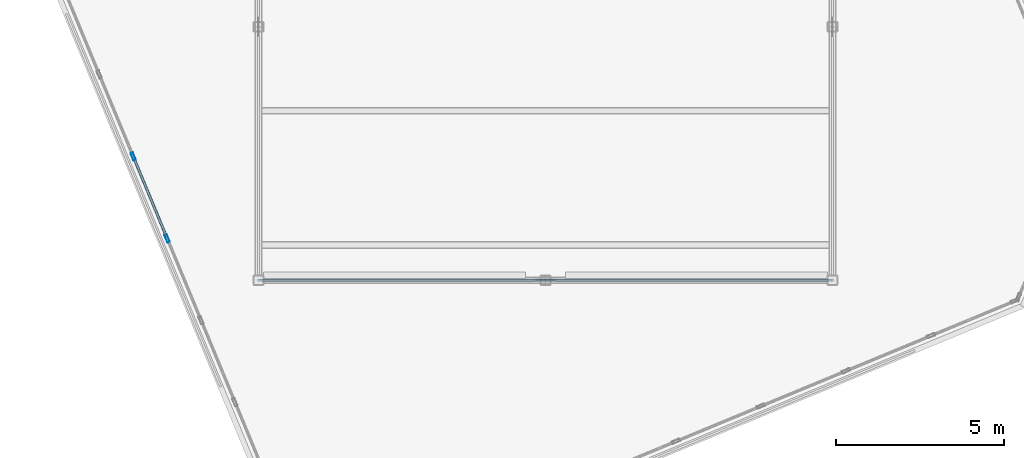
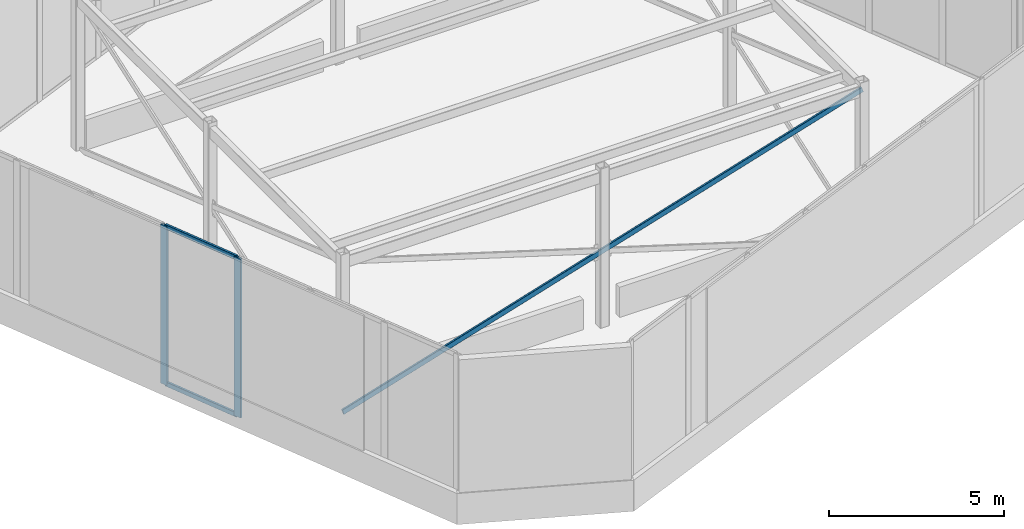
# One storey, part 3 of 12: 5 members, 1 element without a shape of its own.
"""IFC4 building model written with IfcOpenShell, lengths in metres."""

from ifc_helpers import new_model, si_unit, direction, frame, origin, origin_2d, place, context, subcontext, project, spatial, hollow_rectangle, extrude, source, transform, mapped, material, material_profile, profile_set, type_object, element, aggregate, save


model = new_model("IFC4")

# Units and contexts
model_context = context("Model", 3, precision=1e-05, world=origin(), true_north=direction((0.0, 1.0)))
body_context = subcontext(model_context, "Body", "Model", "MODEL_VIEW")
ifc_project = project(units=[si_unit("LENGTHUNIT", "METRE"), si_unit("AREAUNIT", "SQUARE_METRE"), si_unit("VOLUMEUNIT", "CUBIC_METRE"), si_unit("PLANEANGLEUNIT", "RADIAN"), si_unit("MASSUNIT", "GRAM", prefix="KILO")], contexts=[model_context])

# Site, building, storey
site_placement = place(None, origin())
site = spatial("IfcSite", under=ifc_project, at=site_placement, CompositionType="ELEMENT")
building_placement = place(site_placement, origin())
building = spatial("IfcBuilding", under=site, at=building_placement, Name="Torre Montelarca", CompositionType="ELEMENT")
storey_placement = place(building_placement, frame((0.0, 0.0, 370.60009765625)))
storey = spatial("IfcBuildingStorey", under=building, at=storey_placement, Name="RF", CompositionType="ELEMENT", Elevation=370.60009765625)

# Curtain wall, members
ifc_material_1 = material(Name="Amber translucent laminated glass", Category="glass")
curtain_wall_type = type_object("IfcCurtainWallType", Name="CW-SYS-LANT", PredefinedType="USERDEFINED", material=ifc_material_1)
curtain_wall_placement = place(storey_placement, origin())
curtain_wall = element("IfcCurtainWall", 1, at=curtain_wall_placement, inside=storey, type_object=curtain_wall_type, Name="RF Crown Translucent Amber Lantern Curtain Wall 01-1", ObjectType="TRANSLUCENT LANTERN", PredefinedType="USERDEFINED")
ifc_material_2 = material(Name="Anodised aluminium AA 6063-T6", Category="aluminium")
ifc_material_profile_1 = material_profile(ifc_material_2, hollow_rectangle(XDim=0.080078125, YDim=0.239990234375, WallThickness=0.0048828125, InnerFilletRadius=0.0048828125, OuterFilletRadius=0.010009765625, at=origin_2d()), Name="ALU80X240X5", Category="aluminium")
ifc_profile_set_1 = profile_set([ifc_material_profile_1], Name="Anodised aluminium AA 6063-T6")
member_type_1 = type_object("IfcMemberType", Name="CWM-ALU240", PredefinedType="MULLION", material=ifc_profile_set_1)
shared_shape_1 = source(origin(), body_context, "Body", "SweptSolid", [
    extrude(hollow_rectangle(XDim=0.080078125, YDim=0.239990234375, WallThickness=0.0048828125, InnerFilletRadius=0.0048828125, OuterFilletRadius=0.010009765625, at=origin_2d()), origin(), (0.0, 0.0, 1.0), 5.539794921875),
])
member_1_placement = place(storey_placement, frame((5.716796875, 28.137451171875, 0.0), z_axis=(0.0, 0.0, 1.0), x_axis=(0.923878679496, 0.382685491719, 0.0)))
member_1 = element("IfcMember", 2, at=member_1_placement, type_object=member_type_1, Name="CW mullion 4", PredefinedType="MULLION", context=body_context, shape_type="MappedRepresentation", body=[
    mapped(shared_shape_1, transform((0.0, 0.0, 0.0), scale=1.0)),
])
member_2_placement = place(storey_placement, frame((6.72802734375, 25.69580078125, 0.0), z_axis=(0.0, 0.0, 1.0), x_axis=(0.923878679496, 0.382685491719, 0.0)))
member_2 = element("IfcMember", 3, at=member_2_placement, type_object=member_type_1, Name="CW mullion 5", PredefinedType="MULLION", context=body_context, shape_type="MappedRepresentation", body=[
    mapped(shared_shape_1, transform((0.0, 0.0, 0.0), scale=1.0)),
])
ifc_material_profile_2 = material_profile(ifc_material_2, hollow_rectangle(XDim=0.074951171875, YDim=0.159912109375, WallThickness=0.0048828125, InnerFilletRadius=0.0048828125, OuterFilletRadius=0.010009765625, at=origin_2d()), Name="ALU75X160X5", Category="aluminium")
ifc_profile_set_2 = profile_set([ifc_material_profile_2], Name="Anodised aluminium AA 6063-T6")
member_type_2 = type_object("IfcMemberType", Name="CWT-ALU160", PredefinedType="USERDEFINED", material=ifc_profile_set_2)
shared_shape_2 = source(origin(), body_context, "Body", "SweptSolid", [
    extrude(hollow_rectangle(XDim=0.074951171875, YDim=0.159912109375, WallThickness=0.0048828125, InnerFilletRadius=0.0048828125, OuterFilletRadius=0.010009765625, at=origin_2d()), origin(), (0.0, 0.0, 1.0), 2.56298828125),
])
member_3_placement = place(storey_placement, frame((5.732177734375, 28.1005859375, 0.037353515625), z_axis=(0.382646247132, -0.923894934262, 0.0), x_axis=(0.923894934262, 0.382646247132, 0.0)))
member_3 = element("IfcMember", 4, at=member_3_placement, type_object=member_type_2, Name="CW transom 4.1", ObjectType="TRANSOM", PredefinedType="USERDEFINED", context=body_context, shape_type="MappedRepresentation", body=[
    mapped(shared_shape_2, transform((0.0, 0.0, 0.0), scale=1.0)),
])
member_4_placement = place(storey_placement, frame((5.732177734375, 28.1005859375, 5.50244140625), z_axis=(0.382646247132, -0.923894934262, 0.0), x_axis=(0.923894934262, 0.382646247132, 0.0)))
member_4 = element("IfcMember", 5, at=member_4_placement, type_object=member_type_2, Name="CW transom 4.2", ObjectType="TRANSOM", PredefinedType="USERDEFINED", context=body_context, shape_type="MappedRepresentation", body=[
    mapped(shared_shape_2, transform((0.0, 0.0, 0.0), scale=1.0)),
])
aggregate(curtain_wall, [member_1, member_2, member_3, member_4])

# Member
ifc_material_3 = material(Name="Architectural perforated terracotta ceramic on aluminium AA 6063-T6", Category="masonry")
ifc_material_profile_3 = material_profile(ifc_material_3, hollow_rectangle(XDim=0.06494140625, YDim=0.179931640625, WallThickness=0.00390625, InnerFilletRadius=0.00390625, OuterFilletRadius=0.008056640625, at=origin_2d()), Name="ALU65X180X4", Category="masonry")
ifc_profile_set_3 = profile_set([ifc_material_profile_3], Name="Architectural perforated terracotta ceramic on aluminium AA 6063-T6")
member_type_3 = type_object("IfcMemberType", Name="SCR-DIAG-RIB", PredefinedType="USERDEFINED", material=ifc_profile_set_3)
shared_shape_3 = source(origin(), body_context, "Body", "SweptSolid", [
    extrude(hollow_rectangle(XDim=0.06494140625, YDim=0.179931640625, WallThickness=0.00390625, InnerFilletRadius=0.00390625, OuterFilletRadius=0.008056640625, at=origin_2d()), origin(), (0.0, 0.0, 1.0), 17.887939453125),
])
member_5_placement = place(storey_placement, frame((9.449951171875, 24.449951171875, -0.050048828125), z_axis=(0.955960607945, 0.0, 0.29349500176), x_axis=(0.0, 1.0, 0.0)))
element("IfcMember", 6, at=member_5_placement, inside=storey, type_object=member_type_3, Name="RF Crown Continuous Diagonal Brace SA", ObjectType="SOLAR SCREEN", PredefinedType="USERDEFINED", context=body_context, shape_type="MappedRepresentation", body=[
    mapped(shared_shape_3, transform((0.0, 0.0, 0.0), scale=1.0)),
])

save(model, "model.ifc")
